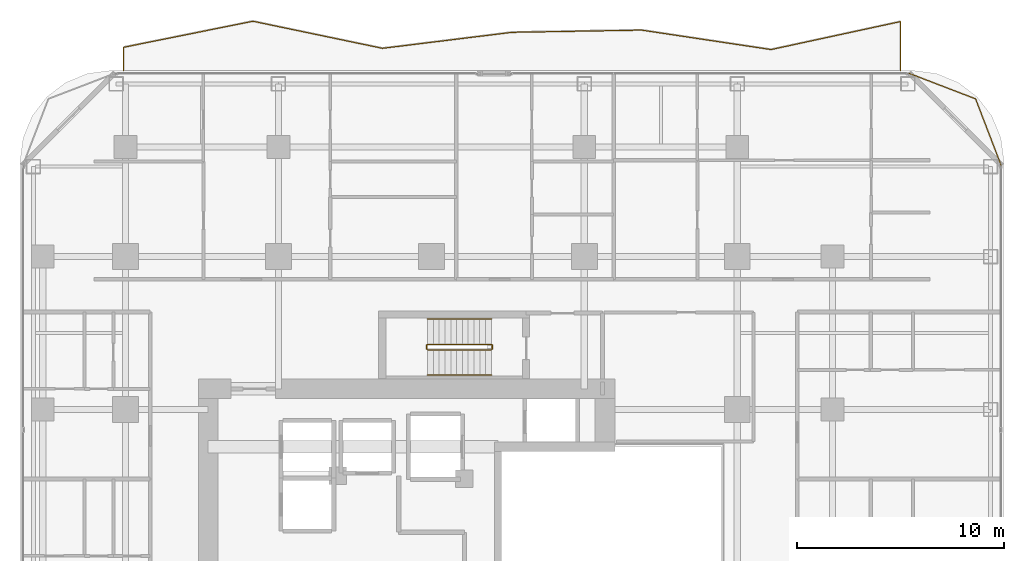
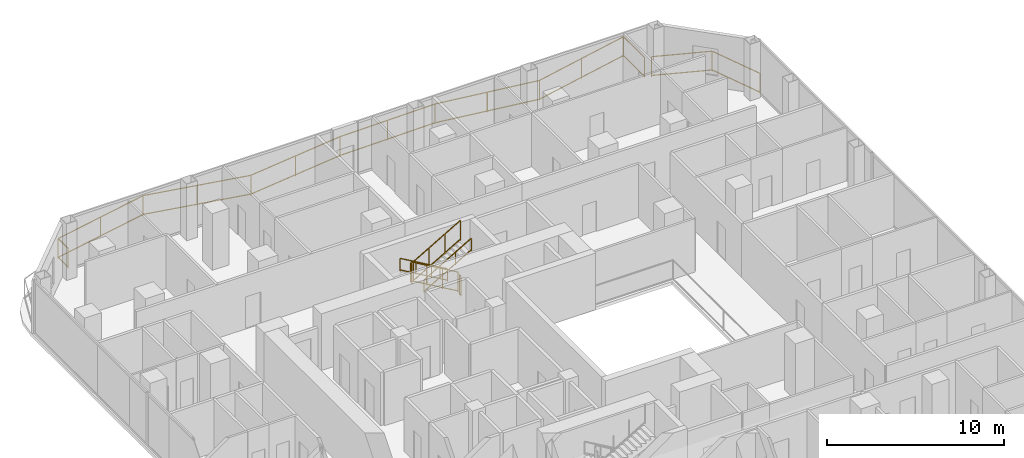
# One storey, part 29 of 29: 8 railings.
"""IFC4 building model written with IfcOpenShell, lengths in metres."""

from ifc_helpers import new_model, si_unit, direction, frame, origin, origin_2d, place, context, subcontext, project, spatial, rectangle, extrude, material, type_object, element, save


model = new_model("IFC4")

# Units and contexts
model_context = context("Model", 3, precision=1e-05, world=origin(), true_north=direction((0.0, 1.0)))
body_context = subcontext(model_context, "Body", "Model", "MODEL_VIEW")
ifc_project = project(units=[si_unit("LENGTHUNIT", "METRE"), si_unit("AREAUNIT", "SQUARE_METRE"), si_unit("VOLUMEUNIT", "CUBIC_METRE"), si_unit("PLANEANGLEUNIT", "RADIAN"), si_unit("MASSUNIT", "GRAM", prefix="KILO")], contexts=[model_context])

# Site, building, storey
site_placement = place(None, origin())
site = spatial("IfcSite", under=ifc_project, at=site_placement, CompositionType="ELEMENT")
building_placement = place(site_placement, origin())
building = spatial("IfcBuilding", under=site, at=building_placement, Name="Khorvyn Point Tower", CompositionType="ELEMENT")
storey_placement = place(building_placement, frame((0.0, 0.0, 140.699951171875)))
storey = spatial("IfcBuildingStorey", under=building, at=storey_placement, Name="L35", CompositionType="ELEMENT", Elevation=140.699951171875)

# Railings
ifc_material_1 = material(Name="Anodised aluminium 6063-T6 and laminated safety glass", Category="aluminium")
railing_type_1 = type_object("IfcRailingType", Name="Laminated Glass and Aluminium Balcony Guardrail 1400", PredefinedType="BALUSTRADE", material=ifc_material_1)
railing_1_placement = place(storey_placement, frame((27.57421875, 19.176025390625, 0.0)))
element("IfcRailing", 1, at=railing_1_placement, inside=storey, type_object=railing_type_1, Name="L35 Rounded Corner Edge Guardrail NE", PredefinedType="BALUSTRADE", context=body_context, shape_type="SweptSolid", body=[
    extrude(rectangle(XDim=0.048095703125, YDim=0.048095703125, at=origin_2d()), frame((0.0, 0.0, 1.3759765625), z_axis=(-0.358382264808, 0.933574931257, 0.0), x_axis=(-0.933574931257, -0.358382264808, 0.0)), (0.0, 0.0, 1.0), 3.481689453125),
    extrude(rectangle(XDim=0.048095703125, YDim=0.048095703125, at=origin_2d()), frame((0.0, 0.0, 0.080078125), z_axis=(-0.358382264808, 0.933574931257, 0.0), x_axis=(-0.933574931257, -0.358382264808, 0.0)), (0.0, 0.0, 1.0), 3.481689453125),
    extrude(rectangle(XDim=0.048095703125, YDim=0.048095703125, at=origin_2d()), frame((-1.247802734375, 3.25048828125, 1.3759765625), z_axis=(-0.933598390295, 0.358321148746, 0.0), x_axis=(-0.358321148746, -0.933598390295, 0.0)), (0.0, 0.0, 1.0), 3.481689453125),
    extrude(rectangle(XDim=0.048095703125, YDim=0.048095703125, at=origin_2d()), frame((-1.247802734375, 3.25048828125, 0.080078125), z_axis=(-0.933598390295, 0.358321148746, 0.0), x_axis=(-0.358321148746, -0.933598390295, 0.0)), (0.0, 0.0, 1.0), 3.481689453125),
    extrude(rectangle(XDim=0.0419921875, YDim=0.0419921875, at=origin_2d()), origin(), (0.0, 0.0, 1.0), 1.351806640625),
    extrude(rectangle(XDim=0.0419921875, YDim=0.0419921875, at=origin_2d()), frame((-1.247802734375, 3.25048828125, 0.0)), (0.0, 0.0, 1.0), 1.351806640625),
    extrude(rectangle(XDim=0.0419921875, YDim=0.0419921875, at=origin_2d()), frame((-4.498291015625, 4.498046875, 0.0)), (0.0, 0.0, 1.0), 1.351806640625),
])
railing_2_placement = place(storey_placement, frame((22.699951171875, 23.800048828125, 0.0)))
element("IfcRailing", 2, at=railing_2_placement, inside=storey, type_object=railing_type_1, Name="L35 North Balcony Guardrail", PredefinedType="BALUSTRADE", context=body_context, shape_type="SweptSolid", body=[
    extrude(rectangle(XDim=0.048095703125, YDim=0.048095703125, at=origin_2d()), frame((0.0, 0.0, 1.3759765625), z_axis=(0.0, 1.0, 0.0), x_axis=(-1.0, 0.0, 0.0)), (0.0, 0.0, 1.0), 2.36669921875),
    extrude(rectangle(XDim=0.048095703125, YDim=0.048095703125, at=origin_2d()), frame((0.0, 0.0, 0.080078125), z_axis=(0.0, 1.0, 0.0), x_axis=(-1.0, 0.0, 0.0)), (0.0, 0.0, 1.0), 2.36669921875),
    extrude(rectangle(XDim=0.048095703125, YDim=0.048095703125, at=origin_2d()), frame((0.0, 2.36669921875, 1.3759765625), z_axis=(-0.977405023503, -0.21137506956, 0.0), x_axis=(0.21137506956, -0.977405023503, 0.0)), (0.0, 0.0, 1.0), 6.411376953125),
    extrude(rectangle(XDim=0.048095703125, YDim=0.048095703125, at=origin_2d()), frame((0.0, 2.36669921875, 0.080078125), z_axis=(-0.977405023503, -0.21137506956, 0.0), x_axis=(0.21137506956, -0.977405023503, 0.0)), (0.0, 0.0, 1.0), 6.411376953125),
    extrude(rectangle(XDim=0.048095703125, YDim=0.048095703125, at=origin_2d()), frame((-6.2666015625, 1.011474609375, 1.3759765625), z_axis=(-0.988914865266, 0.148483632957, 0.0), x_axis=(-0.148483632957, -0.988914865266, 0.0)), (0.0, 0.0, 1.0), 6.3369140625),
    extrude(rectangle(XDim=0.048095703125, YDim=0.048095703125, at=origin_2d()), frame((-6.2666015625, 1.011474609375, 0.080078125), z_axis=(-0.988914865266, 0.148483632957, 0.0), x_axis=(-0.148483632957, -0.988914865266, 0.0)), (0.0, 0.0, 1.0), 6.3369140625),
    extrude(rectangle(XDim=0.048095703125, YDim=0.048095703125, at=origin_2d()), frame((-12.533203125, 1.952392578125, 1.3759765625), z_axis=(-0.999853120304, -0.017138781134, 0.0), x_axis=(0.017138781134, -0.999853120304, 0.0)), (0.0, 0.0, 1.0), 6.267822265625),
    extrude(rectangle(XDim=0.048095703125, YDim=0.048095703125, at=origin_2d()), frame((-12.533203125, 1.952392578125, 0.080078125), z_axis=(-0.999853120304, -0.017138781134, 0.0), x_axis=(0.017138781134, -0.999853120304, 0.0)), (0.0, 0.0, 1.0), 6.267822265625),
    extrude(rectangle(XDim=0.048095703125, YDim=0.048095703125, at=origin_2d()), frame((-18.800048828125, 1.844970703125, 1.3759765625), z_axis=(-0.992460008068, -0.122568888327, 0.0), x_axis=(0.122568888327, -0.992460008068, 0.0)), (0.0, 0.0, 1.0), 6.314208984375),
    extrude(rectangle(XDim=0.048095703125, YDim=0.048095703125, at=origin_2d()), frame((-18.800048828125, 1.844970703125, 0.080078125), z_axis=(-0.992460008068, -0.122568888327, 0.0), x_axis=(0.122568888327, -0.992460008068, 0.0)), (0.0, 0.0, 1.0), 6.314208984375),
    extrude(rectangle(XDim=0.048095703125, YDim=0.048095703125, at=origin_2d()), frame((-25.066650390625, 1.071044921875, 1.3759765625), z_axis=(-0.978831683943, 0.204666886696, 0.0), x_axis=(-0.204666886696, -0.978831683943, 0.0)), (0.0, 0.0, 1.0), 6.402099609375),
    extrude(rectangle(XDim=0.048095703125, YDim=0.048095703125, at=origin_2d()), frame((-25.066650390625, 1.071044921875, 0.080078125), z_axis=(-0.978831683943, 0.204666886696, 0.0), x_axis=(-0.204666886696, -0.978831683943, 0.0)), (0.0, 0.0, 1.0), 6.402099609375),
    extrude(rectangle(XDim=0.048095703125, YDim=0.048095703125, at=origin_2d()), frame((-31.333251953125, 2.38134765625, 1.3759765625), z_axis=(-0.980297632722, -0.197526077468, 0.0), x_axis=(0.197526077468, -0.980297632722, 0.0)), (0.0, 0.0, 1.0), 6.392578125),
    extrude(rectangle(XDim=0.048095703125, YDim=0.048095703125, at=origin_2d()), frame((-31.333251953125, 2.38134765625, 0.080078125), z_axis=(-0.980297632722, -0.197526077468, 0.0), x_axis=(0.197526077468, -0.980297632722, 0.0)), (0.0, 0.0, 1.0), 6.392578125),
    extrude(rectangle(XDim=0.048095703125, YDim=0.048095703125, at=origin_2d()), frame((-37.599853515625, 1.11865234375, 1.3759765625), z_axis=(0.0, -1.0, 0.0), x_axis=(1.0, 0.0, 0.0)), (0.0, 0.0, 1.0), 1.11865234375),
    extrude(rectangle(XDim=0.048095703125, YDim=0.048095703125, at=origin_2d()), frame((-37.599853515625, 1.11865234375, 0.080078125), z_axis=(0.0, -1.0, 0.0), x_axis=(1.0, 0.0, 0.0)), (0.0, 0.0, 1.0), 1.11865234375),
    extrude(rectangle(XDim=0.0419921875, YDim=0.0419921875, at=origin_2d()), origin(), (0.0, 0.0, 1.0), 1.351806640625),
    extrude(rectangle(XDim=0.0419921875, YDim=0.0419921875, at=origin_2d()), frame((0.0, 2.36669921875, 0.0)), (0.0, 0.0, 1.0), 1.351806640625),
    extrude(rectangle(XDim=0.0419921875, YDim=0.0419921875, at=origin_2d()), frame((-3.13330078125, 1.68896484375, 0.0)), (0.0, 0.0, 1.0), 1.351806640625),
    extrude(rectangle(XDim=0.0419921875, YDim=0.0419921875, at=origin_2d()), frame((-6.2666015625, 1.011474609375, 0.0)), (0.0, 0.0, 1.0), 1.351806640625),
    extrude(rectangle(XDim=0.0419921875, YDim=0.0419921875, at=origin_2d()), frame((-9.39990234375, 1.48193359375, 0.0)), (0.0, 0.0, 1.0), 1.351806640625),
    extrude(rectangle(XDim=0.0419921875, YDim=0.0419921875, at=origin_2d()), frame((-12.533203125, 1.952392578125, 0.0)), (0.0, 0.0, 1.0), 1.351806640625),
    extrude(rectangle(XDim=0.0419921875, YDim=0.0419921875, at=origin_2d()), frame((-15.66650390625, 1.898681640625, 0.0)), (0.0, 0.0, 1.0), 1.351806640625),
    extrude(rectangle(XDim=0.0419921875, YDim=0.0419921875, at=origin_2d()), frame((-18.800048828125, 1.844970703125, 0.0)), (0.0, 0.0, 1.0), 1.351806640625),
    extrude(rectangle(XDim=0.0419921875, YDim=0.0419921875, at=origin_2d()), frame((-21.933349609375, 1.4580078125, 0.0)), (0.0, 0.0, 1.0), 1.351806640625),
    extrude(rectangle(XDim=0.0419921875, YDim=0.0419921875, at=origin_2d()), frame((-25.066650390625, 1.071044921875, 0.0)), (0.0, 0.0, 1.0), 1.351806640625),
    extrude(rectangle(XDim=0.0419921875, YDim=0.0419921875, at=origin_2d()), frame((-28.199951171875, 1.72607421875, 0.0)), (0.0, 0.0, 1.0), 1.351806640625),
    extrude(rectangle(XDim=0.0419921875, YDim=0.0419921875, at=origin_2d()), frame((-31.333251953125, 2.38134765625, 0.0)), (0.0, 0.0, 1.0), 1.351806640625),
    extrude(rectangle(XDim=0.0419921875, YDim=0.0419921875, at=origin_2d()), frame((-34.466552734375, 1.75, 0.0)), (0.0, 0.0, 1.0), 1.351806640625),
    extrude(rectangle(XDim=0.0419921875, YDim=0.0419921875, at=origin_2d()), frame((-37.599853515625, 1.11865234375, 0.0)), (0.0, 0.0, 1.0), 1.351806640625),
    extrude(rectangle(XDim=0.0419921875, YDim=0.0419921875, at=origin_2d()), frame((-37.599853515625, 0.0, 0.0)), (0.0, 0.0, 1.0), 1.351806640625),
])
ifc_material_2 = material(Name="Stainless steel 1.4301", Category="steel")
railing_type_2 = type_object("IfcRailingType", Name="Stainless Steel 304 Stair Pitch Handrail 900", PredefinedType="HANDRAIL", material=ifc_material_2)
railing_3_placement = place(storey_placement, frame((2.89990234375, 11.77001953125, 0.16259765625)))
element("IfcRailing", 3, at=railing_3_placement, inside=storey, type_object=railing_type_2, Name="L35 ST-02 stair handrail 1", PredefinedType="HANDRAIL", context=body_context, shape_type="SweptSolid", body=[
    extrude(rectangle(XDim=0.048095703125, YDim=0.048095703125, at=origin_2d()), frame((0.0, 0.0, 0.8759765625), z_axis=(-0.864903211148, 0.0, 0.501938676878), x_axis=(0.0, -1.0, 0.0)), (0.0, 0.0, 1.0), 3.560791015625),
    extrude(rectangle(XDim=0.048095703125, YDim=0.048095703125, at=origin_2d()), frame((0.0, 0.0, 0.080078125), z_axis=(-0.864903211148, 0.0, 0.501938676878), x_axis=(0.0, -1.0, 0.0)), (0.0, 0.0, 1.0), 3.560791015625),
    extrude(rectangle(XDim=0.0419921875, YDim=0.0419921875, at=origin_2d()), origin(), (0.0, 0.0, 1.0), 0.851806640625),
    extrude(rectangle(XDim=0.0419921875, YDim=0.0419921875, at=origin_2d()), frame((-1.026611328125, 0.0, 0.595703125)), (0.0, 0.0, 1.0), 0.851806640625),
    extrude(rectangle(XDim=0.0419921875, YDim=0.0419921875, at=origin_2d()), frame((-2.05322265625, 0.0, 1.191650390625)), (0.0, 0.0, 1.0), 0.851806640625),
    extrude(rectangle(XDim=0.0419921875, YDim=0.0419921875, at=origin_2d()), frame((-3.079833984375, 0.0, 1.787353515625)), (0.0, 0.0, 1.0), 0.851806640625),
])
railing_4_placement = place(storey_placement, frame((-0.179931640625, 9.070068359375, 2.112548828125)))
element("IfcRailing", 4, at=railing_4_placement, inside=storey, type_object=railing_type_2, Name="L35 ST-02 stair handrail 2", PredefinedType="HANDRAIL", context=body_context, shape_type="SweptSolid", body=[
    extrude(rectangle(XDim=0.048095703125, YDim=0.048095703125, at=origin_2d()), frame((0.0, 0.0, 0.8759765625), z_axis=(0.864873446163, 0.0, 0.501989962173), x_axis=(0.0, 1.0, 0.0)), (0.0, 0.0, 1.0), 3.56103515625),
    extrude(rectangle(XDim=0.048095703125, YDim=0.048095703125, at=origin_2d()), frame((0.0, 0.0, 0.080078125), z_axis=(0.864873446163, 0.0, 0.501989962173), x_axis=(0.0, 1.0, 0.0)), (0.0, 0.0, 1.0), 3.56103515625),
    extrude(rectangle(XDim=0.0419921875, YDim=0.0419921875, at=origin_2d()), origin(), (0.0, 0.0, 1.0), 0.851806640625),
    extrude(rectangle(XDim=0.0419921875, YDim=0.0419921875, at=origin_2d()), frame((1.026611328125, 0.0, 0.595947265625)), (0.0, 0.0, 1.0), 0.851806640625),
    extrude(rectangle(XDim=0.0419921875, YDim=0.0419921875, at=origin_2d()), frame((2.05322265625, 0.0, 1.191650390625)), (0.0, 0.0, 1.0), 0.851806640625),
    extrude(rectangle(XDim=0.0419921875, YDim=0.0419921875, at=origin_2d()), frame((3.079833984375, 0.0, 1.78759765625)), (0.0, 0.0, 1.0), 0.851806640625),
])
railing_type_3 = type_object("IfcRailingType", Name="Stainless Steel 304 Stair Well Guardrail 1400", PredefinedType="GUARDRAIL", material=ifc_material_2)
railing_5_placement = place(storey_placement, frame((2.89990234375, 10.550048828125, 0.16259765625)))
element("IfcRailing", 5, at=railing_5_placement, inside=storey, type_object=railing_type_3, Name="L35 ST-02 stair guard 1", PredefinedType="GUARDRAIL", context=body_context, shape_type="SweptSolid", body=[
    extrude(rectangle(XDim=0.048095703125, YDim=0.048095703125, at=origin_2d()), frame((0.0, 0.0, 1.3759765625), z_axis=(-0.864903211148, 0.0, 0.501938676878), x_axis=(0.0, -1.0, 0.0)), (0.0, 0.0, 1.0), 3.560791015625),
    extrude(rectangle(XDim=0.048095703125, YDim=0.048095703125, at=origin_2d()), frame((0.0, 0.0, 0.080078125), z_axis=(-0.864903211148, 0.0, 0.501938676878), x_axis=(0.0, -1.0, 0.0)), (0.0, 0.0, 1.0), 3.560791015625),
    extrude(rectangle(XDim=0.0419921875, YDim=0.0419921875, at=origin_2d()), origin(), (0.0, 0.0, 1.0), 1.351806640625),
    extrude(rectangle(XDim=0.0419921875, YDim=0.0419921875, at=origin_2d()), frame((-1.026611328125, 0.0, 0.595703125)), (0.0, 0.0, 1.0), 1.351806640625),
    extrude(rectangle(XDim=0.0419921875, YDim=0.0419921875, at=origin_2d()), frame((-2.05322265625, 0.0, 1.191650390625)), (0.0, 0.0, 1.0), 1.351806640625),
    extrude(rectangle(XDim=0.0419921875, YDim=0.0419921875, at=origin_2d()), frame((-3.079833984375, 0.0, 1.787353515625)), (0.0, 0.0, 1.0), 1.351806640625),
])
railing_6_placement = place(storey_placement, frame((-0.22998046875, 10.5, 1.949951171875)))
element("IfcRailing", 6, at=railing_6_placement, inside=storey, type_object=railing_type_3, Name="L35 ST-02 stair guard 2", PredefinedType="GUARDRAIL", context=body_context, shape_type="SweptSolid", body=[
    extrude(rectangle(XDim=0.048095703125, YDim=0.048095703125, at=origin_2d()), frame((0.0, 0.0, 1.3759765625), z_axis=(0.0, -1.0, 0.0), x_axis=(1.0, 0.0, 0.0)), (0.0, 0.0, 1.0), 0.159912109375),
    extrude(rectangle(XDim=0.048095703125, YDim=0.048095703125, at=origin_2d()), frame((0.0, 0.0, 0.080078125), z_axis=(0.0, -1.0, 0.0), x_axis=(1.0, 0.0, 0.0)), (0.0, 0.0, 1.0), 0.159912109375),
    extrude(rectangle(XDim=0.0419921875, YDim=0.0419921875, at=origin_2d()), origin(), (0.0, 0.0, 1.0), 1.351806640625),
    extrude(rectangle(XDim=0.0419921875, YDim=0.0419921875, at=origin_2d()), frame((0.0, -0.159912109375, 0.0)), (0.0, 0.0, 1.0), 1.351806640625),
])
railing_7_placement = place(storey_placement, frame((-0.179931640625, 10.2900390625, 2.112548828125)))
element("IfcRailing", 7, at=railing_7_placement, inside=storey, type_object=railing_type_3, Name="L35 ST-02 stair guard 3", PredefinedType="GUARDRAIL", context=body_context, shape_type="SweptSolid", body=[
    extrude(rectangle(XDim=0.048095703125, YDim=0.048095703125, at=origin_2d()), frame((0.0, 0.0, 1.3759765625), z_axis=(0.864873446163, 0.0, 0.501989962173), x_axis=(0.0, 1.0, 0.0)), (0.0, 0.0, 1.0), 3.56103515625),
    extrude(rectangle(XDim=0.048095703125, YDim=0.048095703125, at=origin_2d()), frame((0.0, 0.0, 0.080078125), z_axis=(0.864873446163, 0.0, 0.501989962173), x_axis=(0.0, 1.0, 0.0)), (0.0, 0.0, 1.0), 3.56103515625),
    extrude(rectangle(XDim=0.0419921875, YDim=0.0419921875, at=origin_2d()), origin(), (0.0, 0.0, 1.0), 1.351806640625),
    extrude(rectangle(XDim=0.0419921875, YDim=0.0419921875, at=origin_2d()), frame((1.026611328125, 0.0, 0.595947265625)), (0.0, 0.0, 1.0), 1.351806640625),
    extrude(rectangle(XDim=0.0419921875, YDim=0.0419921875, at=origin_2d()), frame((2.05322265625, 0.0, 1.191650390625)), (0.0, 0.0, 1.0), 1.351806640625),
    extrude(rectangle(XDim=0.0419921875, YDim=0.0419921875, at=origin_2d()), frame((3.079833984375, 0.0, 1.78759765625)), (0.0, 0.0, 1.0), 1.351806640625),
])
railing_8_placement = place(storey_placement, frame((2.949951171875, 10.5, 0.0)))
element("IfcRailing", 8, at=railing_8_placement, inside=storey, type_object=railing_type_3, Name="L35 ST-02 stair guard 4", PredefinedType="GUARDRAIL", context=body_context, shape_type="SweptSolid", body=[
    extrude(rectangle(XDim=0.048095703125, YDim=0.048095703125, at=origin_2d()), frame((0.0, 0.0, 1.3759765625), z_axis=(0.0, -1.0, 0.0), x_axis=(1.0, 0.0, 0.0)), (0.0, 0.0, 1.0), 0.159912109375),
    extrude(rectangle(XDim=0.048095703125, YDim=0.048095703125, at=origin_2d()), frame((0.0, 0.0, 0.080078125), z_axis=(0.0, -1.0, 0.0), x_axis=(1.0, 0.0, 0.0)), (0.0, 0.0, 1.0), 0.159912109375),
    extrude(rectangle(XDim=0.0419921875, YDim=0.0419921875, at=origin_2d()), origin(), (0.0, 0.0, 1.0), 1.351806640625),
    extrude(rectangle(XDim=0.0419921875, YDim=0.0419921875, at=origin_2d()), frame((0.0, -0.159912109375, 0.0)), (0.0, 0.0, 1.0), 1.351806640625),
])

save(model, "model.ifc")
